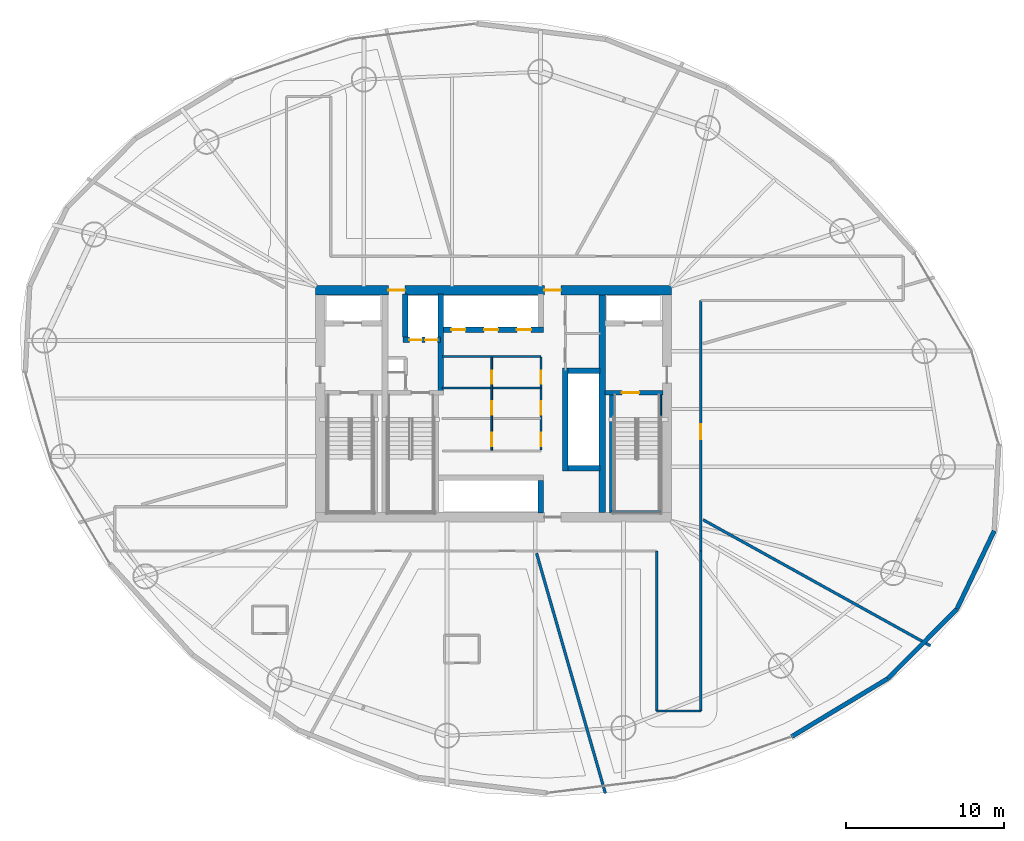
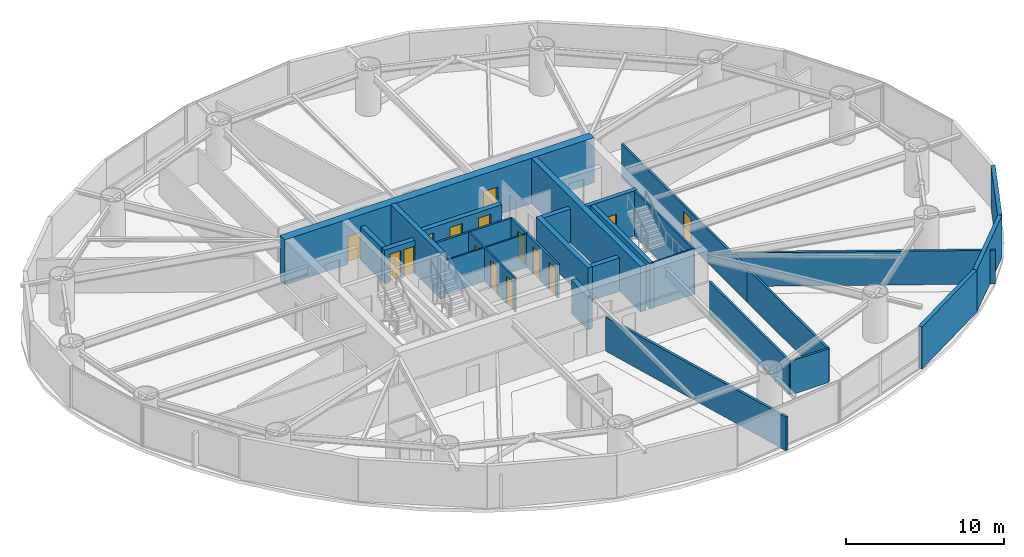
# One storey, part 24 of 30: 27 walls, 15 doors, 15 openings.
"""IFC4 building model written with IfcOpenShell, lengths in metres."""

from ifc_helpers import new_model, si_unit, direction, frame, frame_2d, origin, place, context, subcontext, project, spatial, rectangle, extrude, material, layer, layer_set, type_object, element, fill, save


model = new_model("IFC4")

# Units and contexts
model_context = context("Model", 3, precision=1e-05, world=origin(), true_north=direction((0.0, 1.0)))
body_context = subcontext(model_context, "Body", "Model", "MODEL_VIEW")
ifc_project = project(units=[si_unit("LENGTHUNIT", "METRE"), si_unit("AREAUNIT", "SQUARE_METRE"), si_unit("VOLUMEUNIT", "CUBIC_METRE"), si_unit("PLANEANGLEUNIT", "RADIAN"), si_unit("MASSUNIT", "GRAM", prefix="KILO")], contexts=[model_context])

# Site, building, storey
site_placement = place(None, origin())
site = spatial("IfcSite", under=ifc_project, at=site_placement, CompositionType="ELEMENT")
building_placement = place(site_placement, origin())
building = spatial("IfcBuilding", under=site, at=building_placement, Name="Bramvorn Convention Spire", CompositionType="ELEMENT")
storey_placement = place(building_placement, frame((0.0, 0.0, 90.39990234375)))
storey = spatial("IfcBuildingStorey", under=building, at=storey_placement, Name="L21", CompositionType="ELEMENT", Elevation=90.39990234375)

# Wall, openings, doors
ifc_material_1 = material(Name="Concrete C60/70", Category="concrete")
ifc_layer_1 = layer(ifc_material_1, 0.60009765625)
ifc_layer_set_1 = layer_set([ifc_layer_1], Name="Concrete C60/70 - WL-CORE-600")
wall_type_1 = type_object("IfcWallType", Name="WL-CORE-600", PredefinedType="SHEAR", material=ifc_layer_set_1)
wall_1_placement = place(storey_placement, frame((26.699951171875, 33.199951171875, 0.0), z_axis=(0.0, 0.0, 1.0), x_axis=(1.0, 0.0, 0.0)))
wall_1 = element("IfcWall", 1, at=wall_1_placement, inside=storey, type_object=wall_type_1, Name="L21 North RC core shear wall", PredefinedType="SHEAR", context=body_context, shape_type="SweptSolid", body=[
    extrude(rectangle(XDim=22.60009765625, YDim=0.60009765625, at=frame_2d((11.300048828125, 0.0))), origin(), (0.0, 0.0, 1.0), 3.5),
])
opening_1_placement = place(wall_1_placement, frame((4.6201171875, 0.0, 0.0)))
opening_1 = element("IfcOpeningElement", 2, at=opening_1_placement, cuts=wall_1, Name="Opening DL-105", PredefinedType="OPENING", context=body_context, shape_type="SweptSolid", body=[
    extrude(rectangle(XDim=1.050048828125, YDim=2.14990234375, at=frame_2d((0.52490234375, 1.074951171875))), frame((0.0, 0.31005859375, 0.0), z_axis=(0.0, -1.0, 0.0), x_axis=(1.0, 0.0, 0.0)), (0.0, 0.0, 1.0), 0.6201171875),
])
opening_2_placement = place(wall_1_placement, frame((14.52001953125, 0.0, 0.0)))
opening_2 = element("IfcOpeningElement", 3, at=opening_2_placement, cuts=wall_1, Name="Opening DL-105", PredefinedType="OPENING", context=body_context, shape_type="SweptSolid", body=[
    extrude(rectangle(XDim=1.050048828125, YDim=2.14990234375, at=frame_2d((0.52490234375, 1.074951171875))), frame((0.0, 0.31005859375, 0.0), z_axis=(0.0, -1.0, 0.0), x_axis=(1.0, 0.0, 0.0)), (0.0, 0.0, 1.0), 0.6201171875),
])
ifc_material_2 = material(Name="Smoke-Sealed Fire Lobby Timber-Core Door", Category="wood")
door_type_1 = type_object("IfcDoorType", Name="DR-LOBBY-1050", OperationType="NOTDEFINED", PredefinedType="DOOR", material=ifc_material_2)
door_1_placement = place(opening_1_placement, origin())
door_1 = element("IfcDoor", 4, at=door_1_placement, inside=storey, type_object=door_type_1, Name="L21 Service & Stair ST3 Lobby north corridor door", OperationType="SINGLE_SWING_LEFT", OverallHeight=2.14990234375, OverallWidth=1.050048828125, PredefinedType="DOOR", context=body_context, shape_type="SweptSolid", body=[
    extrude(rectangle(XDim=1.050048828125, YDim=2.14990234375, at=frame_2d((0.52490234375, 1.074951171875))), frame((0.0, 0.02490234375, 0.0), z_axis=(0.0, -1.0, 0.0), x_axis=(1.0, 0.0, 0.0)), (0.0, 0.0, 1.0), 0.050048828125),
])
fill(opening_1, door_1)
door_2_placement = place(opening_2_placement, origin())
door_2 = element("IfcDoor", 5, at=door_2_placement, inside=storey, type_object=door_type_1, Name="L21 North Lift Lobby fire door", OperationType="SINGLE_SWING_LEFT", OverallHeight=2.14990234375, OverallWidth=1.050048828125, PredefinedType="DOOR", context=body_context, shape_type="SweptSolid", body=[
    extrude(rectangle(XDim=1.050048828125, YDim=2.14990234375, at=frame_2d((0.52490234375, 1.074951171875))), frame((0.0, 0.02490234375, 0.0), z_axis=(0.0, -1.0, 0.0), x_axis=(1.0, 0.0, 0.0)), (0.0, 0.0, 1.0), 0.050048828125),
])
fill(opening_2, door_2)

# Wall
ifc_material_3 = material(Name="Concrete C50/60", Category="concrete")
ifc_layer_2 = layer(ifc_material_3, 0.35009765625)
ifc_layer_set_2 = layer_set([ifc_layer_2], Name="Concrete C50/60 - WL-CORE-INT-350")
wall_type_2 = type_object("IfcWallType", Name="WL-CORE-INT-350", PredefinedType="SHEAR", material=ifc_layer_set_2)
wall_2_placement = place(storey_placement, frame((34.639892578125, 26.68994140625, 0.0), z_axis=(0.0, 0.0, 1.0), x_axis=(0.0, 1.0, 0.0)))
element("IfcWall", 6, at=wall_2_placement, inside=storey, type_object=wall_type_2, Name="L21 SV east core shaft wall", PredefinedType="SHEAR", context=body_context, shape_type="SweptSolid", body=[
    extrude(rectangle(XDim=6.260009765625, YDim=0.35009765625, at=frame_2d((3.1298828125, 0.0))), origin(), (0.0, 0.0, 1.0), 3.5),
])

# Wall, openings, doors
wall_3_placement = place(storey_placement, frame((32.22998046875, 30.050048828125, 0.0), z_axis=(0.0, 0.0, 1.0), x_axis=(1.0, 0.0, 0.0)))
wall_3 = element("IfcWall", 7, at=wall_3_placement, inside=storey, type_object=wall_type_2, Name="L21 SV1/SV2 shaft front wall", PredefinedType="SHEAR", context=body_context, shape_type="SweptSolid", body=[
    extrude(rectangle(XDim=2.409912109375, YDim=0.35009765625, at=frame_2d((1.205078125, 0.0))), origin(), (0.0, 0.0, 1.0), 2.60009765625),
])
opening_3_placement = place(wall_3_placement, frame((0.419921875, 0.0, 0.0)))
opening_3 = element("IfcOpeningElement", 8, at=opening_3_placement, cuts=wall_3, Name="Opening LD-080", PredefinedType="OPENING", context=body_context, shape_type="SweptSolid", body=[
    extrude(rectangle(XDim=0.800048828125, YDim=2.14990234375, at=frame_2d((0.39990234375, 1.074951171875))), frame((0.0, 0.18505859375, 0.0), z_axis=(0.0, -1.0, 0.0), x_axis=(1.0, 0.0, 0.0)), (0.0, 0.0, 1.0), 0.3701171875),
])
opening_4_placement = place(wall_3_placement, frame((1.419921875, 0.0, 0.0)))
opening_4 = element("IfcOpeningElement", 9, at=opening_4_placement, cuts=wall_3, Name="Opening LD-080", PredefinedType="OPENING", context=body_context, shape_type="SweptSolid", body=[
    extrude(rectangle(XDim=0.800048828125, YDim=2.14990234375, at=frame_2d((0.39990234375, 1.074951171875))), frame((0.0, 0.18505859375, 0.0), z_axis=(0.0, -1.0, 0.0), x_axis=(1.0, 0.0, 0.0)), (0.0, 0.0, 1.0), 0.3701171875),
])
ifc_material_4 = material(Name="Service Lift Bi-Parting Landing Door", Category="steel")
door_type_2 = type_object("IfcDoorType", Name="DR-LIFT-LD-800", OperationType="NOTDEFINED", PredefinedType="DOOR", material=ifc_material_4)
door_3_placement = place(opening_3_placement, origin())
door_3 = element("IfcDoor", 10, at=door_3_placement, inside=storey, type_object=door_type_2, Name="L21 Lift SV1 Sliding Landing Door", OperationType="SLIDING_TO_LEFT", OverallHeight=2.14990234375, OverallWidth=0.800048828125, PredefinedType="DOOR", context=body_context, shape_type="SweptSolid", body=[
    extrude(rectangle(XDim=0.800048828125, YDim=2.14990234375, at=frame_2d((0.39990234375, 1.074951171875))), frame((0.0, 0.02490234375, 0.0), z_axis=(0.0, -1.0, 0.0), x_axis=(1.0, 0.0, 0.0)), (0.0, 0.0, 1.0), 0.050048828125),
])
fill(opening_3, door_3)
door_4_placement = place(opening_4_placement, origin())
door_4 = element("IfcDoor", 11, at=door_4_placement, inside=storey, type_object=door_type_2, Name="L21 Lift SV2 Sliding Landing Door", OperationType="SLIDING_TO_LEFT", OverallHeight=2.14990234375, OverallWidth=0.800048828125, PredefinedType="DOOR", context=body_context, shape_type="SweptSolid", body=[
    extrude(rectangle(XDim=0.800048828125, YDim=2.14990234375, at=frame_2d((0.39990234375, 1.074951171875))), frame((0.0, 0.02490234375, 0.0), z_axis=(0.0, -1.0, 0.0), x_axis=(1.0, 0.0, 0.0)), (0.0, 0.0, 1.0), 0.050048828125),
])
fill(opening_4, door_4)

# Walls
wall_4_placement = place(storey_placement, frame((32.39990234375, 30.219970703125, 0.0), z_axis=(0.0, 0.0, 1.0), x_axis=(0.0, 1.0, 0.0)))
element("IfcWall", 12, at=wall_4_placement, inside=storey, type_object=wall_type_2, Name="L21 SV1 west hoistway wall", PredefinedType="SHEAR", context=body_context, shape_type="SweptSolid", body=[
    extrude(rectangle(XDim=2.72998046875, YDim=0.35009765625, at=frame_2d((1.364990234375, 0.0))), origin(), (0.0, 0.0, 1.0), 2.60009765625),
])
wall_5_placement = place(storey_placement, frame((42.550048828125, 21.72998046875, 0.0), z_axis=(0.0, 0.0, 1.0), x_axis=(0.0, 1.0, 0.0)))
element("IfcWall", 13, at=wall_5_placement, inside=storey, type_object=wall_type_2, Name="L21 High-rise lift bank west wall", PredefinedType="SHEAR", context=body_context, shape_type="SweptSolid", body=[
    extrude(rectangle(XDim=6.5400390625, YDim=0.35009765625, at=frame_2d((3.27001953125, 0.0))), origin(), (0.0, 0.0, 1.0), 2.60009765625),
])
for number, where, z_axis, x_axis, name in (
    (14, (42.719970703125, 21.89990234375, 0.0), (0.0, 0.0, 1.0), (1.0, 0.0, 0.0), "L21 High-rise lift bank south wall"),
    (15, (42.719970703125, 28.10009765625, 0.0), (0.0, 0.0, 1.0), (1.0, 0.0, 0.0), "L21 High-rise lift bank north wall"),
):
    element("IfcWall", number, at=place(storey_placement, frame(where, z_axis=z_axis, x_axis=x_axis)), inside=storey, type_object=wall_type_2, Name=name, PredefinedType="SHEAR", context=body_context, shape_type="SweptSolid", body=[
        extrude(rectangle(XDim=2.030029296875, YDim=0.35009765625, at=frame_2d((1.01513671875, 0.0))), origin(), (0.0, 0.0, 1.0), 2.60009765625),
    ])

# Wall, openings, doors
wall_6_placement = place(storey_placement, frame((34.81005859375, 30.699951171875, 0.0), z_axis=(0.0, 0.0, 1.0), x_axis=(1.0, 0.0, 0.0)))
wall_6 = element("IfcWall", 16, at=wall_6_placement, inside=storey, type_object=wall_type_2, Name="L21 Low-rise bank south landing wall", PredefinedType="SHEAR", context=body_context, shape_type="SweptSolid", body=[
    extrude(rectangle(XDim=6.35986328125, YDim=0.35009765625, at=frame_2d((3.179931640625, 0.0))), origin(), (0.0, 0.0, 1.0), 2.60009765625),
])
opening_5_placement = place(wall_6_placement, frame((0.5, 0.0, 0.0)))
opening_5 = element("IfcOpeningElement", 17, at=opening_5_placement, cuts=wall_6, Name="Opening LD-090", PredefinedType="OPENING", context=body_context, shape_type="SweptSolid", body=[
    extrude(rectangle(XDim=0.89990234375, YDim=2.14990234375, at=frame_2d((0.449951171875, 1.074951171875))), frame((0.0, 0.18505859375, 0.0), z_axis=(0.0, -1.0, 0.0), x_axis=(1.0, 0.0, 0.0)), (0.0, 0.0, 1.0), 0.3701171875),
])
opening_6_placement = place(wall_6_placement, frame((2.580078125, 0.0, 0.0)))
opening_6 = element("IfcOpeningElement", 18, at=opening_6_placement, cuts=wall_6, Name="Opening LD-090", PredefinedType="OPENING", context=body_context, shape_type="SweptSolid", body=[
    extrude(rectangle(XDim=0.89990234375, YDim=2.14990234375, at=frame_2d((0.449951171875, 1.074951171875))), frame((0.0, 0.18505859375, 0.0), z_axis=(0.0, -1.0, 0.0), x_axis=(1.0, 0.0, 0.0)), (0.0, 0.0, 1.0), 0.3701171875),
])
opening_7_placement = place(wall_6_placement, frame((4.659912109375, 0.0, 0.0)))
opening_7 = element("IfcOpeningElement", 19, at=opening_7_placement, cuts=wall_6, Name="Opening LD-090", PredefinedType="OPENING", context=body_context, shape_type="SweptSolid", body=[
    extrude(rectangle(XDim=0.89990234375, YDim=2.14990234375, at=frame_2d((0.449951171875, 1.074951171875))), frame((0.0, 0.18505859375, 0.0), z_axis=(0.0, -1.0, 0.0), x_axis=(1.0, 0.0, 0.0)), (0.0, 0.0, 1.0), 0.3701171875),
])
ifc_material_5 = material(Name="Bi-Parting Fire-Rated Lift Landing Door", Category="steel")
door_type_3 = type_object("IfcDoorType", Name="DR-LIFT-LD-900", OperationType="NOTDEFINED", PredefinedType="DOOR", material=ifc_material_5)
door_5_placement = place(opening_5_placement, origin())
door_5 = element("IfcDoor", 20, at=door_5_placement, inside=storey, type_object=door_type_3, Name="L21 Lift PL1 Sliding Landing Door", OperationType="SLIDING_TO_LEFT", OverallHeight=2.14990234375, OverallWidth=0.89990234375, PredefinedType="DOOR", context=body_context, shape_type="SweptSolid", body=[
    extrude(rectangle(XDim=0.89990234375, YDim=2.14990234375, at=frame_2d((0.449951171875, 1.074951171875))), frame((0.0, 0.02490234375, 0.0), z_axis=(0.0, -1.0, 0.0), x_axis=(1.0, 0.0, 0.0)), (0.0, 0.0, 1.0), 0.050048828125),
])
fill(opening_5, door_5)
door_6_placement = place(opening_6_placement, origin())
door_6 = element("IfcDoor", 21, at=door_6_placement, inside=storey, type_object=door_type_3, Name="L21 Lift PL2 Sliding Landing Door", OperationType="SLIDING_TO_LEFT", OverallHeight=2.14990234375, OverallWidth=0.89990234375, PredefinedType="DOOR", context=body_context, shape_type="SweptSolid", body=[
    extrude(rectangle(XDim=0.89990234375, YDim=2.14990234375, at=frame_2d((0.449951171875, 1.074951171875))), frame((0.0, 0.02490234375, 0.0), z_axis=(0.0, -1.0, 0.0), x_axis=(1.0, 0.0, 0.0)), (0.0, 0.0, 1.0), 0.050048828125),
])
fill(opening_6, door_6)
door_7_placement = place(opening_7_placement, origin())
door_7 = element("IfcDoor", 22, at=door_7_placement, inside=storey, type_object=door_type_3, Name="L21 Lift PL3 Sliding Landing Door", OperationType="SLIDING_TO_LEFT", OverallHeight=2.14990234375, OverallWidth=0.89990234375, PredefinedType="DOOR", context=body_context, shape_type="SweptSolid", body=[
    extrude(rectangle(XDim=0.89990234375, YDim=2.14990234375, at=frame_2d((0.449951171875, 1.074951171875))), frame((0.0, 0.02490234375, 0.0), z_axis=(0.0, -1.0, 0.0), x_axis=(1.0, 0.0, 0.0)), (0.0, 0.0, 1.0), 0.050048828125),
])
fill(opening_7, door_7)

# Walls
wall_7_placement = place(storey_placement, frame((41.0, 19.050048828125, 0.0), z_axis=(0.0, 0.0, 1.0), x_axis=(0.0, 1.0, 0.0)))
element("IfcWall", 23, at=wall_7_placement, inside=storey, type_object=wall_type_2, Name="L21 Mid-rise bank east cheek wall", PredefinedType="SHEAR", context=body_context, shape_type="SweptSolid", body=[
    extrude(rectangle(XDim=2.079833984375, YDim=0.35009765625, at=frame_2d((1.0400390625, 0.0))), origin(), (0.0, 0.0, 1.0), 2.60009765625),
])
ifc_layer_3 = layer(ifc_material_1, 0.39990234375)
ifc_layer_set_3 = layer_set([ifc_layer_3], Name="Concrete C60/70 - WL-CORE-INT-400")
wall_type_3 = type_object("IfcWallType", Name="WL-CORE-INT-400", PredefinedType="SHEAR", material=ifc_layer_set_3)
wall_8_placement = place(storey_placement, frame((44.89990234375, 19.10009765625, 0.0), z_axis=(0.0, 0.0, 1.0), x_axis=(0.0, 1.0, 0.0)))
element("IfcWall", 24, at=wall_8_placement, inside=storey, type_object=wall_type_3, Name="L21 East internal core shear web", PredefinedType="SHEAR", context=body_context, shape_type="SweptSolid", body=[
    extrude(rectangle(XDim=13.7998046875, YDim=0.39990234375, at=frame_2d((6.89990234375, 0.0))), origin(), (0.0, 0.0, 1.0), 3.5),
])
ifc_material_6 = material(Name="Precast Concrete C40/50 with Bronze Terracotta Rainscreen", Category="masonry")
ifc_layer_4 = layer(ifc_material_6, 0.300048828125)
ifc_layer_set_4 = layer_set([ifc_layer_4], Name="Precast Concrete C40/50 with Bronze Terracotta Rainscreen - WL-EXT-BRONZE-300")
wall_type_4 = type_object("IfcWallType", Name="WL-EXT-BRONZE-300", PredefinedType="SOLIDWALL", material=ifc_layer_set_4)
wall_9_placement = place(storey_placement, frame((63.0263671875, 8.560791015625, 0.0), z_axis=(0.0, 0.0, 1.0), x_axis=(-0.856154031239, -0.516720693212, 0.0)))
element("IfcWall", 25, at=wall_9_placement, inside=storey, type_object=wall_type_4, Name="L21 expressed bronze Gothic lancet pier wall 22", PredefinedType="SOLIDWALL", context=body_context, shape_type="SweptSolid", body=[
    extrude(rectangle(XDim=7.14306640625, YDim=0.280029296875, at=frame_2d((3.571533203125, 0.0))), origin(), (0.0, 0.0, 1.0), 3.25),
])
wall_10_placement = place(storey_placement, frame((67.4013671875, 12.970703125, 0.0), z_axis=(0.0, 0.0, 1.0), x_axis=(-0.704291107344, -0.709911287497, 0.0)))
element("IfcWall", 26, at=wall_10_placement, inside=storey, type_object=wall_type_4, Name="L21 expressed bronze Gothic lancet pier wall 23", PredefinedType="SOLIDWALL", context=body_context, shape_type="SweptSolid", body=[
    extrude(rectangle(XDim=6.2119140625, YDim=0.280029296875, at=frame_2d((3.10595703125, 0.0))), origin(), (0.0, 0.0, 1.0), 3.25),
])
wall_11_placement = place(storey_placement, frame((69.771484375, 17.93115234375, 0.0), z_axis=(0.0, 0.0, 1.0), x_axis=(-0.431119191354, -0.902294986602, 0.0)))
element("IfcWall", 27, at=wall_11_placement, inside=storey, type_object=wall_type_4, Name="L21 expressed bronze Gothic lancet pier wall 24", PredefinedType="SOLIDWALL", context=body_context, shape_type="SweptSolid", body=[
    extrude(rectangle(XDim=5.49755859375, YDim=0.280029296875, at=frame_2d((2.748779296875, 0.0))), origin(), (0.0, 0.0, 1.0), 3.25),
])

# Wall, openings, doors
ifc_material_7 = material(Name="Lightweight En-Suite & Wet-Wall Partition", Category="gypsum")
ifc_layer_5 = layer(ifc_material_7, 0.110107421875)
ifc_layer_set_5 = layer_set([ifc_layer_5], Name="Lightweight En-Suite & Wet-Wall Partition - WL-PART-110")
wall_type_5 = type_object("IfcWallType", Name="WL-PART-110", PredefinedType="PARTITIONING", material=ifc_layer_set_5)
wall_12_placement = place(storey_placement, frame((37.8798828125, 23.050048828125, 0.0), z_axis=(0.0, 0.0, 1.0), x_axis=(0.0, 1.0, 0.0)))
wall_12 = element("IfcWall", 28, at=wall_12_placement, inside=storey, type_object=wall_type_5, Name="L21 KB center wall", PredefinedType="PARTITIONING", context=body_context, shape_type="SweptSolid", body=[
    extrude(rectangle(XDim=5.89990234375, YDim=0.110107421875, at=frame_2d((2.949951171875, 0.0))), origin(), (0.0, 0.0, 1.0), 2.60009765625),
])
opening_8_placement = place(wall_12_placement, frame((0.25, 0.0, 0.0)))
opening_8 = element("IfcOpeningElement", 29, at=opening_8_placement, cuts=wall_12, Name="Opening DC-085", PredefinedType="OPENING", context=body_context, shape_type="SweptSolid", body=[
    extrude(rectangle(XDim=0.85009765625, YDim=2.10009765625, at=frame_2d((0.425048828125, 1.050048828125))), frame((0.0, 0.06494140625, 0.0), z_axis=(0.0, -1.0, 0.0), x_axis=(1.0, 0.0, 0.0)), (0.0, 0.0, 1.0), 0.130126953125),
])
opening_9_placement = place(wall_12_placement, frame((2.256103515625, 0.0, 0.0)))
opening_9 = element("IfcOpeningElement", 30, at=opening_9_placement, cuts=wall_12, Name="Opening DC-085", PredefinedType="OPENING", context=body_context, shape_type="SweptSolid", body=[
    extrude(rectangle(XDim=0.85009765625, YDim=2.10009765625, at=frame_2d((0.425048828125, 1.050048828125))), frame((0.0, 0.06494140625, 0.0), z_axis=(0.0, -1.0, 0.0), x_axis=(1.0, 0.0, 0.0)), (0.0, 0.0, 1.0), 0.130126953125),
])
opening_10_placement = place(wall_12_placement, frame((4.202880859375, 0.0, 0.0)))
opening_10 = element("IfcOpeningElement", 31, at=opening_10_placement, cuts=wall_12, Name="Opening DC-085", PredefinedType="OPENING", context=body_context, shape_type="SweptSolid", body=[
    extrude(rectangle(XDim=0.85009765625, YDim=2.10009765625, at=frame_2d((0.425048828125, 1.050048828125))), frame((0.0, 0.06494140625, 0.0), z_axis=(0.0, -1.0, 0.0), x_axis=(1.0, 0.0, 0.0)), (0.0, 0.0, 1.0), 0.130126953125),
])
ifc_material_8 = material(Name="Fire-Rated Core Washroom & IDF Door", Category="wood")
door_type_4 = type_object("IfcDoorType", Name="DR-CORE-850", OperationType="NOTDEFINED", PredefinedType="DOOR", material=ifc_material_8)
door_8_placement = place(opening_8_placement, origin())
door_8 = element("IfcDoor", 32, at=door_8_placement, inside=storey, type_object=door_type_4, Name="L21 Core Linen Store door", OperationType="SINGLE_SWING_LEFT", OverallHeight=2.10009765625, OverallWidth=0.85009765625, PredefinedType="DOOR", context=body_context, shape_type="SweptSolid", body=[
    extrude(rectangle(XDim=0.85009765625, YDim=2.10009765625, at=frame_2d((0.425048828125, 1.050048828125))), frame((0.0, 0.02490234375, 0.0), z_axis=(0.0, -1.0, 0.0), x_axis=(1.0, 0.0, 0.0)), (0.0, 0.0, 1.0), 0.050048828125),
])
fill(opening_8, door_8)
door_9_placement = place(opening_9_placement, origin())
door_9 = element("IfcDoor", 33, at=door_9_placement, inside=storey, type_object=door_type_4, Name="L21 Core Metering Closet door", OperationType="SINGLE_SWING_LEFT", OverallHeight=2.10009765625, OverallWidth=0.85009765625, PredefinedType="DOOR", context=body_context, shape_type="SweptSolid", body=[
    extrude(rectangle(XDim=0.85009765625, YDim=2.10009765625, at=frame_2d((0.425048828125, 1.050048828125))), frame((0.0, 0.02490234375, 0.0), z_axis=(0.0, -1.0, 0.0), x_axis=(1.0, 0.0, 0.0)), (0.0, 0.0, 1.0), 0.050048828125),
])
fill(opening_9, door_9)
door_10_placement = place(opening_10_placement, origin())
door_10 = element("IfcDoor", 34, at=door_10_placement, inside=storey, type_object=door_type_4, Name="L21 Core Janitor Supply door", OperationType="SINGLE_SWING_LEFT", OverallHeight=2.10009765625, OverallWidth=0.85009765625, PredefinedType="DOOR", context=body_context, shape_type="SweptSolid", body=[
    extrude(rectangle(XDim=0.85009765625, YDim=2.10009765625, at=frame_2d((0.425048828125, 1.050048828125))), frame((0.0, 0.02490234375, 0.0), z_axis=(0.0, -1.0, 0.0), x_axis=(1.0, 0.0, 0.0)), (0.0, 0.0, 1.0), 0.050048828125),
])
fill(opening_10, door_10)

# Walls
wall_13_placement = place(storey_placement, frame((34.75, 27.0029296875, 0.0), z_axis=(0.0, 0.0, 1.0), x_axis=(1.0, 0.0, 0.0)))
element("IfcWall", 35, at=wall_13_placement, inside=storey, type_object=wall_type_5, Name="L21 KB divider 2", PredefinedType="PARTITIONING", context=body_context, shape_type="SweptSolid", body=[
    extrude(rectangle(XDim=6.25, YDim=0.110107421875, at=frame_2d((3.125, 0.0))), origin(), (0.0, 0.0, 1.0), 2.60009765625),
])
ifc_material_9 = material(Name="Acoustic Metal-Stud Tenant/Corridor Partition", Category="gypsum")
ifc_layer_6 = layer(ifc_material_9, 0.14990234375)
ifc_layer_set_6 = layer_set([ifc_layer_6], Name="Acoustic Metal-Stud Tenant/Corridor Partition - WL-PART-150")
wall_type_6 = type_object("IfcWallType", Name="WL-PART-150", PredefinedType="PARTITIONING", material=ifc_layer_set_6)
wall_14_placement = place(storey_placement, frame((34.75, 29.0, 0.0), z_axis=(0.0, 0.0, 1.0), x_axis=(1.0, 0.0, 0.0)))
element("IfcWall", 36, at=wall_14_placement, inside=storey, type_object=wall_type_6, Name="L21 Low-rise lift vestibule south wall", PredefinedType="PARTITIONING", context=body_context, shape_type="SweptSolid", body=[
    extrude(rectangle(XDim=6.25, YDim=0.14990234375, at=frame_2d((3.125, 0.0))), origin(), (0.0, 0.0, 1.0), 2.60009765625),
])

# Wall, openings, doors
wall_15_placement = place(storey_placement, frame((41.0, 23.050048828125, 0.0), z_axis=(0.0, 0.0, 1.0), x_axis=(0.0, 1.0, 0.0)))
wall_15 = element("IfcWall", 37, at=wall_15_placement, inside=storey, type_object=wall_type_6, Name="L21 KB east core wall", PredefinedType="PARTITIONING", context=body_context, shape_type="SweptSolid", body=[
    extrude(rectangle(XDim=5.89990234375, YDim=0.14990234375, at=frame_2d((2.949951171875, 0.0))), origin(), (0.0, 0.0, 1.0), 2.60009765625),
])
opening_11_placement = place(wall_15_placement, frame((0.25, 0.0, 0.0)))
opening_11 = element("IfcOpeningElement", 38, at=opening_11_placement, cuts=wall_15, Name="Opening DC-085", PredefinedType="OPENING", context=body_context, shape_type="SweptSolid", body=[
    extrude(rectangle(XDim=0.85009765625, YDim=2.10009765625, at=frame_2d((0.425048828125, 1.050048828125))), frame((0.0, 0.0849609375, 0.0), z_axis=(0.0, -1.0, 0.0), x_axis=(1.0, 0.0, 0.0)), (0.0, 0.0, 1.0), 0.169921875),
])
opening_12_placement = place(wall_15_placement, frame((2.256103515625, 0.0, 0.0)))
opening_12 = element("IfcOpeningElement", 39, at=opening_12_placement, cuts=wall_15, Name="Opening DC-085", PredefinedType="OPENING", context=body_context, shape_type="SweptSolid", body=[
    extrude(rectangle(XDim=0.85009765625, YDim=2.10009765625, at=frame_2d((0.425048828125, 1.050048828125))), frame((0.0, 0.0849609375, 0.0), z_axis=(0.0, -1.0, 0.0), x_axis=(1.0, 0.0, 0.0)), (0.0, 0.0, 1.0), 0.169921875),
])
opening_13_placement = place(wall_15_placement, frame((4.202880859375, 0.0, 0.0)))
opening_13 = element("IfcOpeningElement", 40, at=opening_13_placement, cuts=wall_15, Name="Opening DC-085", PredefinedType="OPENING", context=body_context, shape_type="SweptSolid", body=[
    extrude(rectangle(XDim=0.85009765625, YDim=2.10009765625, at=frame_2d((0.425048828125, 1.050048828125))), frame((0.0, 0.0849609375, 0.0), z_axis=(0.0, -1.0, 0.0), x_axis=(1.0, 0.0, 0.0)), (0.0, 0.0, 1.0), 0.169921875),
])
door_11_placement = place(opening_11_placement, origin())
door_11 = element("IfcDoor", 41, at=door_11_placement, inside=storey, type_object=door_type_4, Name="L21 Accessible Core Restroom door", OperationType="SINGLE_SWING_LEFT", OverallHeight=2.10009765625, OverallWidth=0.85009765625, PredefinedType="DOOR", context=body_context, shape_type="SweptSolid", body=[
    extrude(rectangle(XDim=0.85009765625, YDim=2.10009765625, at=frame_2d((0.425048828125, 1.050048828125))), frame((0.0, 0.02490234375, 0.0), z_axis=(0.0, -1.0, 0.0), x_axis=(1.0, 0.0, 0.0)), (0.0, 0.0, 1.0), 0.050048828125),
])
fill(opening_11, door_11)
door_12_placement = place(opening_12_placement, origin())
door_12 = element("IfcDoor", 42, at=door_12_placement, inside=storey, type_object=door_type_4, Name="L21 Floor Housekeeping & Linen Store door", OperationType="SINGLE_SWING_LEFT", OverallHeight=2.10009765625, OverallWidth=0.85009765625, PredefinedType="DOOR", context=body_context, shape_type="SweptSolid", body=[
    extrude(rectangle(XDim=0.85009765625, YDim=2.10009765625, at=frame_2d((0.425048828125, 1.050048828125))), frame((0.0, 0.02490234375, 0.0), z_axis=(0.0, -1.0, 0.0), x_axis=(1.0, 0.0, 0.0)), (0.0, 0.0, 1.0), 0.050048828125),
])
fill(opening_12, door_12)
door_13_placement = place(opening_13_placement, origin())
door_13 = element("IfcDoor", 43, at=door_13_placement, inside=storey, type_object=door_type_4, Name="L21 Gender-Neutral Core WC door", OperationType="SINGLE_SWING_LEFT", OverallHeight=2.10009765625, OverallWidth=0.85009765625, PredefinedType="DOOR", context=body_context, shape_type="SweptSolid", body=[
    extrude(rectangle(XDim=0.85009765625, YDim=2.10009765625, at=frame_2d((0.425048828125, 1.050048828125))), frame((0.0, 0.02490234375, 0.0), z_axis=(0.0, -1.0, 0.0), x_axis=(1.0, 0.0, 0.0)), (0.0, 0.0, 1.0), 0.050048828125),
])
fill(opening_13, door_13)

# Wall, opening, door
wall_16_placement = place(storey_placement, frame((51.14990234375, 16.64990234375, 0.0), z_axis=(0.0, 0.0, 1.0), x_axis=(0.0, 1.0, 0.0)))
wall_16 = element("IfcWall", 44, at=wall_16_placement, inside=storey, type_object=wall_type_6, Name="L21 East ring corridor wall", PredefinedType="PARTITIONING", context=body_context, shape_type="SweptSolid", body=[
    extrude(rectangle(XDim=15.900146484375, YDim=0.14990234375, at=frame_2d((7.9501953125, 0.0))), origin(), (0.0, 0.0, 1.0), 2.60009765625),
])
opening_14_placement = place(wall_16_placement, frame((7.098388671875, 0.0, 0.0)))
opening_14 = element("IfcOpeningElement", 45, at=opening_14_placement, cuts=wall_16, Name="Opening DH-095", PredefinedType="OPENING", context=body_context, shape_type="SweptSolid", body=[
    extrude(rectangle(XDim=0.949951171875, YDim=2.14990234375, at=frame_2d((0.47509765625, 1.074951171875))), frame((0.0, 0.0849609375, 0.0), z_axis=(0.0, -1.0, 0.0), x_axis=(1.0, 0.0, 0.0)), (0.0, 0.0, 1.0), 0.169921875),
])
ifc_material_10 = material(Name="Solid-Core Acoustic Guestroom Entry Door", Category="wood")
door_type_5 = type_object("IfcDoorType", Name="DR-HOTEL-950", OperationType="NOTDEFINED", PredefinedType="DOOR", material=ifc_material_10)
door_14_placement = place(opening_14_placement, origin())
door_14 = element("IfcDoor", 46, at=door_14_placement, inside=storey, type_object=door_type_5, Name="L21 Hospitality Salon 8 door", OperationType="SINGLE_SWING_RIGHT", OverallHeight=2.14990234375, OverallWidth=0.949951171875, PredefinedType="DOOR", context=body_context, shape_type="SweptSolid", body=[
    extrude(rectangle(XDim=0.949951171875, YDim=2.14990234375, at=frame_2d((0.47509765625, 1.074951171875))), frame((0.0, 0.02490234375, 0.0), z_axis=(0.0, -1.0, 0.0), x_axis=(1.0, 0.0, 0.0)), (0.0, 0.0, 1.0), 0.050048828125),
])
fill(opening_14, door_14)

# Walls
for number, where, z_axis, x_axis, name in (
    (47, (48.35009765625, 6.5, 0.0), (0.0, 0.0, 1.0), (0.0, 1.0, 0.0), "L21 SE pinwheel wing west wall"),
    (48, (51.14990234375, 6.5, 0.0), (0.0, 0.0, 1.0), (0.0, 1.0, 0.0), "L21 SE pinwheel wing east wall"),
):
    element("IfcWall", number, at=place(storey_placement, frame(where, z_axis=z_axis, x_axis=x_axis)), inside=storey, type_object=wall_type_6, Name=name, PredefinedType="PARTITIONING", context=body_context, shape_type="SweptSolid", body=[
        extrude(rectangle(XDim=10.14990234375, YDim=0.14990234375, at=frame_2d((5.074951171875, 0.0))), origin(), (0.0, 0.0, 1.0), 2.60009765625),
    ])
wall_17_placement = place(storey_placement, frame((48.35009765625, 6.5, 0.0), z_axis=(0.0, 0.0, 1.0), x_axis=(1.0, 0.0, 0.0)))
element("IfcWall", 49, at=wall_17_placement, inside=storey, type_object=wall_type_6, Name="L21 SE pinwheel end wall", PredefinedType="PARTITIONING", context=body_context, shape_type="SweptSolid", body=[
    extrude(rectangle(XDim=2.7998046875, YDim=0.14990234375, at=frame_2d((1.39990234375, 0.0))), origin(), (0.0, 0.0, 1.0), 2.60009765625),
])
ifc_material_11 = material(Name="Double-Stud Acoustic Hotel/Suite Partition", Category="gypsum")
ifc_layer_7 = layer(ifc_material_11, 0.175048828125)
ifc_layer_set_7 = layer_set([ifc_layer_7], Name="Double-Stud Acoustic Hotel/Suite Partition - WL-PART-175")
wall_type_7 = type_object("IfcWallType", Name="WL-PART-175", PredefinedType="PARTITIONING", material=ifc_layer_set_7)
wall_18_placement = place(storey_placement, frame((40.72119140625, 16.510009765625, 0.0), z_axis=(0.0, 0.0, 1.0), x_axis=(0.275634013996, -0.961262654184, 0.0)))
element("IfcWall", 50, at=wall_18_placement, inside=storey, type_object=wall_type_7, Name="L21 Guestroom demising wall 7", PredefinedType="PARTITIONING", context=body_context, shape_type="SweptSolid", body=[
    extrude(rectangle(XDim=15.857421875, YDim=0.175048828125, at=frame_2d((7.9287109375, 0.0))), origin(), (0.0, 0.0, 1.0), 2.60009765625),
])
wall_19_placement = place(storey_placement, frame((51.2900390625, 18.63330078125, 0.0), z_axis=(0.0, 0.0, 1.0), x_axis=(0.874615280468, -0.484817606087, 0.0)))
element("IfcWall", 51, at=wall_19_placement, inside=storey, type_object=wall_type_7, Name="L21 Guestroom demising wall 8", PredefinedType="PARTITIONING", context=body_context, shape_type="SweptSolid", body=[
    extrude(rectangle(XDim=16.505615234375, YDim=0.175048828125, at=frame_2d((8.2529296875, 0.0))), origin(), (0.0, 0.0, 1.0), 2.60009765625),
])

# Wall, opening, door
ifc_layer_8 = layer(ifc_material_3, 0.300048828125)
ifc_layer_set_8 = layer_set([ifc_layer_8], Name="Concrete C50/60 - WL-POD-STAIR-300")
wall_type_8 = type_object("IfcWallType", Name="WL-POD-STAIR-300", PredefinedType="SHEAR", material=ifc_layer_set_8)
wall_20_placement = place(storey_placement, frame((45.080078125, 26.68994140625, 0.0), z_axis=(0.0, 0.0, 1.0), x_axis=(1.0, 0.0, 0.0)))
wall_20 = element("IfcWall", 52, at=wall_20_placement, inside=storey, type_object=wall_type_8, Name="L21 ST2 north fire wall", PredefinedType="SHEAR", context=body_context, shape_type="SweptSolid", body=[
    extrude(rectangle(XDim=3.669921875, YDim=0.300048828125, at=frame_2d((1.8349609375, 0.0))), origin(), (0.0, 0.0, 1.0), 3.5),
])
opening_15_placement = place(wall_20_placement, frame((1.050048828125, 0.0, 0.0)))
opening_15 = element("IfcOpeningElement", 53, at=opening_15_placement, cuts=wall_20, Name="Opening DS-110", PredefinedType="OPENING", context=body_context, shape_type="SweptSolid", body=[
    extrude(rectangle(XDim=1.10009765625, YDim=2.14990234375, at=frame_2d((0.550048828125, 1.074951171875))), frame((0.0, 0.159912109375, 0.0), z_axis=(0.0, -1.0, 0.0), x_axis=(1.0, 0.0, 0.0)), (0.0, 0.0, 1.0), 0.320068359375),
])
ifc_material_12 = material(Name="Fire-Rated Hollow Steel Stairwell Door", Category="steel")
door_type_6 = type_object("IfcDoorType", Name="DR-STAIR-1100", OperationType="NOTDEFINED", PredefinedType="DOOR", material=ifc_material_12)
door_15_placement = place(opening_15_placement, origin())
door_15 = element("IfcDoor", 54, at=door_15_placement, inside=storey, type_object=door_type_6, Name="L21 Stair ST2 fire door", OperationType="SINGLE_SWING_RIGHT", OverallHeight=2.14990234375, OverallWidth=1.10009765625, PredefinedType="DOOR", context=body_context, shape_type="SweptSolid", body=[
    extrude(rectangle(XDim=1.10009765625, YDim=2.14990234375, at=frame_2d((0.550048828125, 1.074951171875))), frame((0.0, 0.02490234375, 0.0), z_axis=(0.0, -1.0, 0.0), x_axis=(1.0, 0.0, 0.0)), (0.0, 0.0, 1.0), 0.050048828125),
])
fill(opening_15, door_15)

# Walls
wall_21_placement = place(storey_placement, frame((45.510009765625, 19.050048828125, 0.0), z_axis=(0.0, 0.0, 1.0), x_axis=(0.0, 1.0, 0.0)))
element("IfcWall", 55, at=wall_21_placement, inside=storey, type_object=wall_type_8, Name="L21 ST2 west bearing wall", PredefinedType="SHEAR", context=body_context, shape_type="SweptSolid", body=[
    extrude(rectangle(XDim=7.5, YDim=0.300048828125, at=frame_2d((3.75, 0.0))), origin(), (0.0, 0.0, 1.0), 3.5),
])
ifc_layer_9 = layer(ifc_material_3, 0.1201171875)
ifc_layer_set_9 = layer_set([ifc_layer_9], Name="Concrete C50/60 - WL-STAIR-RC-120")
wall_type_9 = type_object("IfcWallType", Name="WL-STAIR-RC-120", PredefinedType="SHEAR", material=ifc_layer_set_9)
wall_22_placement = place(storey_placement, frame((48.60498046875, 19.10009765625, 0.0), z_axis=(0.0, 0.0, 1.0), x_axis=(0.0, 1.0, 0.0)))
element("IfcWall", 56, at=wall_22_placement, inside=storey, type_object=wall_type_9, Name="L21 ST2 east bearing shear wall", PredefinedType="SHEAR", context=body_context, shape_type="SweptSolid", body=[
    extrude(rectangle(XDim=7.449951171875, YDim=0.1201171875, at=frame_2d((3.72509765625, 0.0))), origin(), (0.0, 0.0, 1.0), 3.5),
])
wall_23_placement = place(storey_placement, frame((45.510009765625, 19.159912109375, 0.0), z_axis=(0.0, 0.0, 1.0), x_axis=(1.0, 0.0, 0.0)))
element("IfcWall", 57, at=wall_23_placement, inside=storey, type_object=wall_type_9, Name="L21 ST2 south bearing shear wall", PredefinedType="SHEAR", context=body_context, shape_type="SweptSolid", body=[
    extrude(rectangle(XDim=3.094970703125, YDim=0.1201171875, at=frame_2d((1.54736328125, 0.0))), origin(), (0.0, 0.0, 1.0), 3.5),
])

save(model, "model.ifc")
